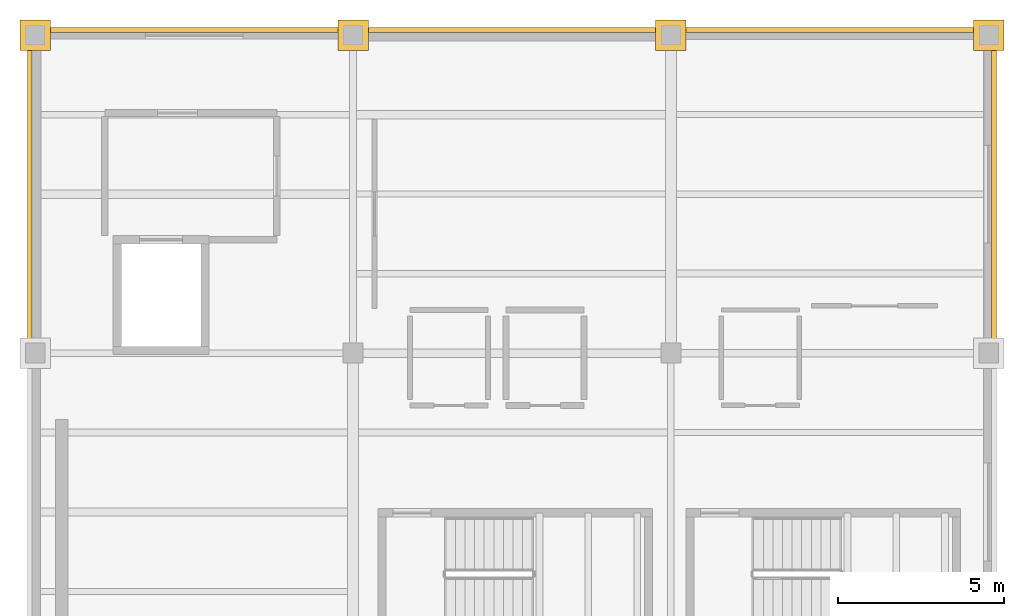
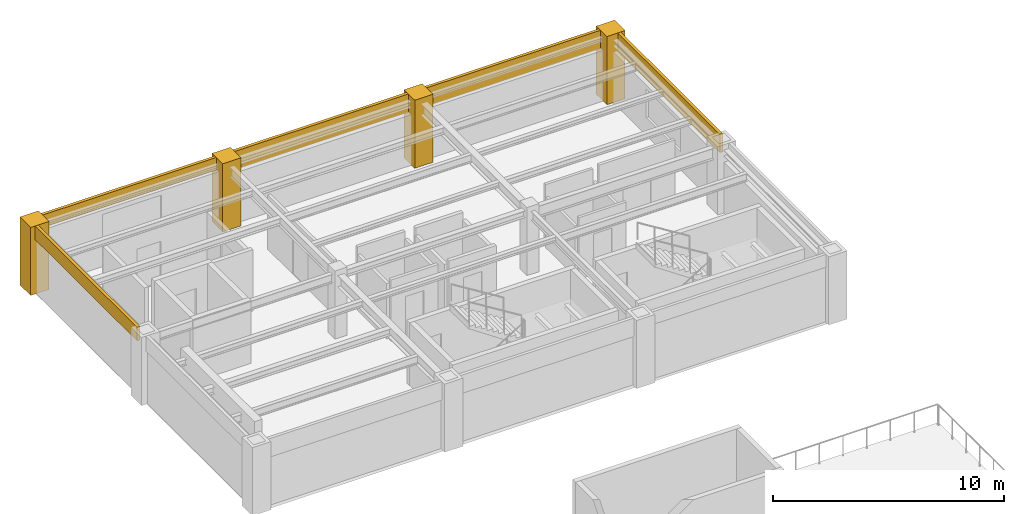
# One storey, part 6 of 6: 9 coverings.
"""IFC4 building model written with IfcOpenShell, lengths in metres."""

import ifcopenshell
import ifcopenshell.guid

model = None  # the IFC model being written
_history = None  # IfcOwnerHistory: only IFC2X3 demands one
_inside = {}  # id of a spatial element -> (the spatial element, [elements in it])
_under = {}  # id of a project, library or spatial element -> (it, [spatial elements below it])
_declared = {}  # id of a project -> (the project, [libraries it declares])
_typed = {}  # id of a type object -> (the type object, [elements of that type])
_made_of = {}  # id of a material, layer set ... -> (it, [elements and type objects made of it])


def new_model(schema):
    """Start an empty IFC model of exactly this schema.

    Asked for "IFC4X3", IfcOpenShell would pick the latest addendum, in which some entities
    have other attributes; the version numbers below select the first issue.
    IFC2X3 requires an IfcOwnerHistory on every rooted entity: one is made here for all.
    """
    global model, _history
    if schema == "IFC4X3":
        model = ifcopenshell.file(schema_version=(4, 3, 0, 0))
    else:
        model = ifcopenshell.file(schema=schema)
    _inside.clear()
    _under.clear()
    _declared.clear()
    _typed.clear()
    _made_of.clear()
    _history = None
    if model.schema == "IFC2X3":
        org = make("IfcOrganization", Name="unknown")
        user = make(
            "IfcPersonAndOrganization",
            ThePerson=make("IfcPerson", FamilyName="unknown"),
            TheOrganization=org,
        )
        app = make(
            "IfcApplication",
            ApplicationDeveloper=org,
            Version="unknown",
            ApplicationFullName="unknown",
            ApplicationIdentifier="unknown",
        )
        _history = make(
            "IfcOwnerHistory",
            OwningUser=user,
            OwningApplication=app,
            ChangeAction="ADDED",
            CreationDate=0,
        )
    return model


def make(cls, **values):
    """One entity of the class cls with the attributes given. An attribute that is None is left unset."""
    return model.create_entity(
        cls, **{name: value for name, value in values.items() if value is not None}
    )


def rooted(cls, **values):
    """An entity with a GlobalId (a new one), such as an element, a storey or a relation."""
    return make(cls, GlobalId=ifcopenshell.guid.new(), OwnerHistory=_history, **values)


def si_unit(unit_type, name, prefix=None):
    """IfcSIUnit, for example si_unit("LENGTHUNIT", "METRE", prefix="MILLI")."""
    return make("IfcSIUnit", UnitType=unit_type, Prefix=prefix, Name=name)


def assignment(units):
    """IfcUnitAssignment: the units of a project."""
    return None if units is None else make("IfcUnitAssignment", Units=units)


def point(xyz):
    """IfcCartesianPoint."""
    return None if xyz is None else make("IfcCartesianPoint", Coordinates=xyz)


def direction(xyz):
    """IfcDirection."""
    return None if xyz is None else make("IfcDirection", DirectionRatios=xyz)


def frame(location, z_axis=None, x_axis=None):
    """IfcAxis2Placement3D, a coordinate frame: its origin and axes. An axis left out is left unset."""
    return make(
        "IfcAxis2Placement3D",
        Location=point(location),
        Axis=direction(z_axis),
        RefDirection=direction(x_axis),
    )


def origin():
    """The frame at (0, 0, 0) with its axes left unset."""
    return frame((0.0, 0.0, 0.0))


def place(relative_to, where):
    """IfcLocalPlacement: puts the frame where relative to a parent placement (None: the world)."""
    return make(
        "IfcLocalPlacement", PlacementRelTo=relative_to, RelativePlacement=where
    )


def context(
    kind, dimensions, precision=None, world=None, true_north=None, identifier=None
):
    """IfcGeometricRepresentationContext, for example the 3D "Model" context."""
    return make(
        "IfcGeometricRepresentationContext",
        ContextIdentifier=identifier,
        ContextType=kind,
        CoordinateSpaceDimension=dimensions,
        Precision=precision,
        WorldCoordinateSystem=world,
        TrueNorth=true_north,
    )


def subcontext(parent, identifier, kind, view, scale=None):
    """IfcGeometricRepresentationSubContext, for example "Body" below "Model"."""
    return make(
        "IfcGeometricRepresentationSubContext",
        ContextIdentifier=identifier,
        ContextType=kind,
        ParentContext=parent,
        TargetScale=scale,
        TargetView=view,
    )


def project(units=None, contexts=None):
    """IfcProject with its units and contexts."""
    return rooted(
        "IfcProject",
        Name="project",
        RepresentationContexts=contexts,
        UnitsInContext=assignment(units),
    )


def spatial(cls, under=None, at=None, **own):
    """A site, building, storey or space (cls), placed at a placement, below another one or the project."""
    s = rooted(cls, ObjectPlacement=at, **own)
    if under is not None:
        _under.setdefault(under.id(), (under, []))[1].append(s)
    return s


def polyline(points):
    """IfcPolyline through the points."""
    return make("IfcPolyline", Points=[point(p) for p in points])


def outline(outer, holes=None, kind="AREA"):
    """IfcArbitraryClosedProfileDef: a profile drawn as a closed curve; with holes, ...WithVoids."""
    if holes is None:
        return make("IfcArbitraryClosedProfileDef", ProfileType=kind, OuterCurve=outer)
    return make(
        "IfcArbitraryProfileDefWithVoids",
        ProfileType=kind,
        OuterCurve=outer,
        InnerCurves=holes,
    )


def extrude(swept, where, along, depth):
    """IfcExtrudedAreaSolid: the profile swept, set in the frame where, extruded along a direction by depth."""
    return make(
        "IfcExtrudedAreaSolid",
        SweptArea=swept,
        Position=where,
        ExtrudedDirection=direction(along),
        Depth=depth,
    )


def shape(context_of_items, identifier, shape_type, items):
    """IfcShapeRepresentation: the items that make up one representation, for example the "Body"."""
    return make(
        "IfcShapeRepresentation",
        ContextOfItems=context_of_items,
        RepresentationIdentifier=identifier,
        RepresentationType=shape_type,
        Items=items,
    )


def material(Name=None, Category=None):
    """IfcMaterial."""
    return make("IfcMaterial", Name=Name, Category=Category)


def layer(
    of_material, thickness, ventilated=None, Name=None, Category=None, Priority=None
):
    """IfcMaterialLayer: one layer of a wall or slab, of a material (None: an air gap)."""
    return make(
        "IfcMaterialLayer",
        Material=of_material,
        LayerThickness=thickness,
        IsVentilated=ventilated,
        Name=Name,
        Category=Category,
        Priority=Priority,
    )


def layer_set(layers, Name=None):
    """IfcMaterialLayerSet."""
    return make("IfcMaterialLayerSet", MaterialLayers=layers, LayerSetName=Name)


def made_of(thing, what):
    """Note that an element or type object is made of a material, layer set ...; save() writes the relation."""
    if what is not None:
        _made_of.setdefault(what.id(), (what, []))[1].append(thing)
    return thing


def type_object(cls, material=None, **own):
    """A type object (cls), such as IfcWallType, which elements share."""
    return made_of(rooted(cls, **own), material)


def element(
    cls,
    number,
    at=None,
    inside=None,
    cuts=None,
    type_object=None,
    material=None,
    context=None,
    identifier="Body",
    shape_type=None,
    held_by="IfcProductDefinitionShape",
    body=None,
    shapes=None,
    **own,
):
    """One element of the class cls, such as IfcWall. Its Tag is "e" and its number.

    at: its placement. inside: the storey or other place that contains it. cuts: it is an
    opening in that element (IfcRelVoidsElement). A single representation is given by context,
    identifier, shape_type and body (its items); several are given by shapes. held_by: the class
    of the entity that holds the representations. save() writes the other relations.
    """
    e = rooted(cls, Tag="e%d" % number, ObjectPlacement=at, **own)
    if body is not None:
        shapes = [shape(context, identifier, shape_type, body)]
    if shapes is not None:
        e.Representation = make(held_by, Representations=shapes)
    if inside is not None:
        _inside.setdefault(inside.id(), (inside, []))[1].append(e)
    if cuts is not None:
        rooted(
            "IfcRelVoidsElement", RelatingBuildingElement=cuts, RelatedOpeningElement=e
        )
    if type_object is not None:
        _typed.setdefault(type_object.id(), (type_object, []))[1].append(e)
    return made_of(e, material)


def aggregate(whole, parts):
    """IfcRelAggregates: a whole, such as a stair, and the parts it consists of."""
    return rooted("IfcRelAggregates", RelatingObject=whole, RelatedObjects=parts)


def save(model, path):
    """Write the relations noted so far, then the file.

    IfcRelAggregates (storeys below a building ...), IfcRelContainedInSpatialStructure (elements
    in a storey), IfcRelDefinesByType, IfcRelAssociatesMaterial and IfcRelDeclares: one each for
    every whole, place, type object, material and project.
    """
    for whole, parts in _under.values():
        aggregate(whole, parts)
    for where, things in _inside.values():
        rooted(
            "IfcRelContainedInSpatialStructure",
            RelatedElements=things,
            RelatingStructure=where,
        )
    for kind, things in _typed.values():
        rooted("IfcRelDefinesByType", RelatedObjects=things, RelatingType=kind)
    for what, things in _made_of.values():
        rooted("IfcRelAssociatesMaterial", RelatedObjects=things, RelatingMaterial=what)
    for by, libraries in _declared.values():
        rooted("IfcRelDeclares", RelatingContext=by, RelatedDefinitions=libraries)
    model.write(path)


model = new_model("IFC4")

# Units and contexts
model_context = context("Model", 3, precision=1e-05, world=origin(), true_north=direction((0.0, 1.0)))
body_context = subcontext(model_context, "Body", "Model", "MODEL_VIEW")
ifc_project = project(units=[si_unit("LENGTHUNIT", "METRE"), si_unit("AREAUNIT", "SQUARE_METRE"), si_unit("VOLUMEUNIT", "CUBIC_METRE"), si_unit("PLANEANGLEUNIT", "RADIAN"), si_unit("MASSUNIT", "GRAM", prefix="KILO")], contexts=[model_context])

# Site, building, storey
site_placement = place(None, origin())
site = spatial("IfcSite", under=ifc_project, at=site_placement, CompositionType="ELEMENT")
building_placement = place(site_placement, origin())
building = spatial("IfcBuilding", under=site, at=building_placement, Name="Mavantir Sound Aquarium", CompositionType="ELEMENT")
storey_placement = place(building_placement, frame((0.0, 0.0, 19.800048828125)))
storey = spatial("IfcBuildingStorey", under=building, at=storey_placement, Name="L04", CompositionType="ELEMENT", Elevation=19.800048828125)

# Coverings
ifc_material = material(Name="Honed Coral-Limestone & Glazed Terracotta Rainscreen Cladding", Category="masonry")
ifc_layer = layer(ifc_material, 0.06005859375, Name="Honed Coral-Limestone & Glazed Terracotta Rainscreen Cladding")
ifc_layer_set = layer_set([ifc_layer], Name="Honed Coral-Limestone & Glazed Terracotta Rainscreen Cladding")
covering_type = type_object("IfcCoveringType", Name="COV-CLAD-TC", PredefinedType="CLADDING", material=ifc_layer_set)
covering_1_placement = place(storey_placement, frame((0.0, 0.0, 2.6240234375)))
element("IfcCovering", 1, at=covering_1_placement, inside=storey, type_object=covering_type, Name="L04 Postmodern coral-limestone spandrel frieze 485", PredefinedType="CLADDING", context=body_context, shape_type="SweptSolid", body=[
    extrude(outline(polyline([(28.889892578125, 93.508056640625), (28.889892578125, 102.491943359375), (29.0400390625, 102.491943359375), (29.0400390625, 93.508056640625), (28.889892578125, 93.508056640625)])), origin(), (0.0, 0.0, 1.0), 0.975830078125),
])
covering_2_placement = place(storey_placement, frame((0.0, 0.0, 2.625)))
element("IfcCovering", 2, at=covering_2_placement, inside=storey, type_object=covering_type, Name="L04 Postmodern coral-limestone spandrel frieze 486", PredefinedType="CLADDING", context=body_context, shape_type="SweptSolid", body=[
    extrude(outline(polyline([(28.491943359375, 102.889892578125), (19.508056640625, 102.889892578125), (19.508056640625, 103.0400390625), (28.491943359375, 103.0400390625), (28.491943359375, 102.889892578125)])), origin(), (0.0, 0.0, 1.0), 0.974853515625),
])
covering_3_placement = place(storey_placement, frame((0.0, 0.0, 2.625)))
element("IfcCovering", 3, at=covering_3_placement, inside=storey, type_object=covering_type, Name="L04 Postmodern coral-limestone spandrel frieze 487", PredefinedType="CLADDING", context=body_context, shape_type="SweptSolid", body=[
    extrude(outline(polyline([(18.89208984375, 102.889892578125), (9.907958984375, 102.889892578125), (9.907958984375, 103.0400390625), (18.89208984375, 103.0400390625), (18.89208984375, 102.889892578125)])), origin(), (0.0, 0.0, 1.0), 0.974853515625),
])
covering_4_placement = place(storey_placement, frame((0.0, 0.0, 2.927978515625)))
element("IfcCovering", 4, at=covering_4_placement, inside=storey, type_object=covering_type, Name="L04 Postmodern coral-limestone spandrel frieze 488", PredefinedType="CLADDING", context=body_context, shape_type="SweptSolid", body=[
    extrude(outline(polyline([(9.2919921875, 102.889892578125), (0.30810546875, 102.889892578125), (0.30810546875, 103.0400390625), (9.2919921875, 103.0400390625), (9.2919921875, 102.889892578125)])), origin(), (0.0, 0.0, 1.0), 0.671875),
])
covering_5_placement = place(storey_placement, frame((0.0, 0.0, 2.883056640625)))
element("IfcCovering", 5, at=covering_5_placement, inside=storey, type_object=covering_type, Name="L04 Postmodern coral-limestone spandrel frieze 489", PredefinedType="CLADDING", context=body_context, shape_type="SweptSolid", body=[
    extrude(outline(polyline([(-0.090087890625, 102.491943359375), (-0.090087890625, 93.508056640625), (-0.239990234375, 93.508056640625), (-0.239990234375, 102.491943359375), (-0.090087890625, 102.491943359375)])), origin(), (0.0, 0.0, 1.0), 0.716796875),
])
covering_6_placement = place(storey_placement, origin())
element("IfcCovering", 6, at=covering_6_placement, inside=storey, type_object=covering_type, Name="L04 Postmodern coral-limestone pilaster casing 359", PredefinedType="CLADDING", context=body_context, shape_type="SweptSolid", body=[
    extrude(outline(polyline([(-0.4599609375, 102.340087890625), (0.4599609375, 102.340087890625), (0.4599609375, 103.260009765625), (-0.4599609375, 103.260009765625), (-0.4599609375, 102.340087890625)])), origin(), (0.0, 0.0, 1.0), 3.599853515625),
])
covering_7_placement = place(storey_placement, origin())
element("IfcCovering", 7, at=covering_7_placement, inside=storey, type_object=covering_type, Name="L04 Postmodern coral-limestone pilaster casing 373", PredefinedType="CLADDING", context=body_context, shape_type="SweptSolid", body=[
    extrude(outline(polyline([(9.139892578125, 102.340087890625), (10.06005859375, 102.340087890625), (10.06005859375, 103.260009765625), (9.139892578125, 103.260009765625), (9.139892578125, 102.340087890625)])), origin(), (0.0, 0.0, 1.0), 3.599853515625),
])
covering_8_placement = place(storey_placement, origin())
element("IfcCovering", 8, at=covering_8_placement, inside=storey, type_object=covering_type, Name="L04 Postmodern coral-limestone pilaster casing 385", PredefinedType="CLADDING", context=body_context, shape_type="SweptSolid", body=[
    extrude(outline(polyline([(18.739990234375, 102.340087890625), (19.659912109375, 102.340087890625), (19.659912109375, 103.260009765625), (18.739990234375, 103.260009765625), (18.739990234375, 102.340087890625)])), origin(), (0.0, 0.0, 1.0), 3.599853515625),
])
covering_9_placement = place(storey_placement, origin())
element("IfcCovering", 9, at=covering_9_placement, inside=storey, type_object=covering_type, Name="L04 Postmodern coral-limestone pilaster casing 402", PredefinedType="CLADDING", context=body_context, shape_type="SweptSolid", body=[
    extrude(outline(polyline([(28.340087890625, 102.340087890625), (29.260009765625, 102.340087890625), (29.260009765625, 103.260009765625), (28.340087890625, 103.260009765625), (28.340087890625, 102.340087890625)])), origin(), (0.0, 0.0, 1.0), 3.599853515625),
])

save(model, "model.ifc")
